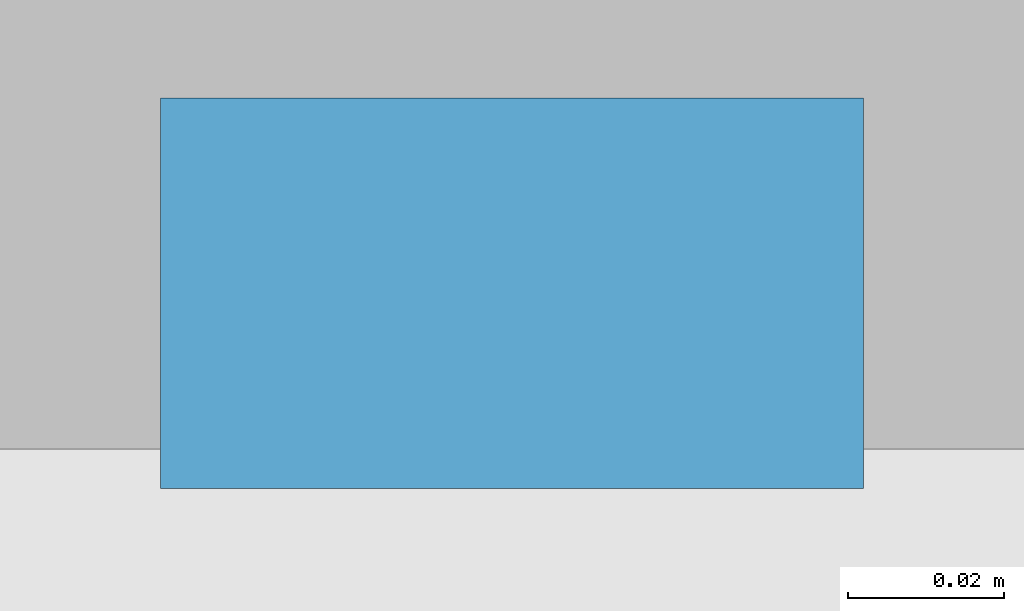
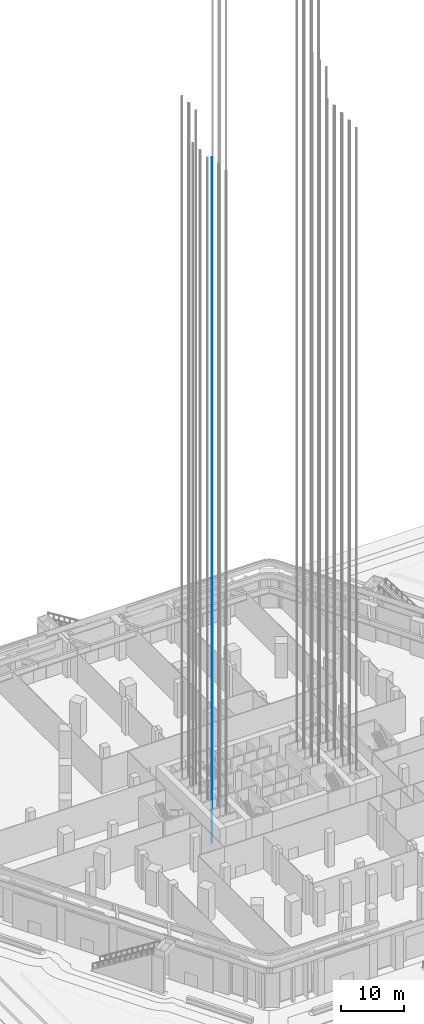
# One storey, part 31 of 68: 1 discrete accessory.
"""IFC4 building model written with IfcOpenShell, lengths in metres."""

from ifc_helpers import new_model, si_unit, direction, frame, origin, origin_2d, place, context, subcontext, project, spatial, rectangle, extrude, element, save


model = new_model("IFC4")

# Units and contexts
model_context = context("Model", 3, precision=1e-05, world=origin(), true_north=direction((0.0, 1.0)))
body_context = subcontext(model_context, "Body", "Model", "MODEL_VIEW")
ifc_project = project(units=[si_unit("LENGTHUNIT", "METRE"), si_unit("AREAUNIT", "SQUARE_METRE"), si_unit("VOLUMEUNIT", "CUBIC_METRE"), si_unit("PLANEANGLEUNIT", "RADIAN"), si_unit("MASSUNIT", "GRAM", prefix="KILO")], contexts=[model_context])

# Site, building, storey
site_placement = place(None, origin())
site = spatial("IfcSite", under=ifc_project, at=site_placement, CompositionType="ELEMENT")
building_placement = place(site_placement, origin())
building = spatial("IfcBuilding", under=site, at=building_placement, Name="Kolab Exchange Tower", CompositionType="ELEMENT")
storey_placement = place(building_placement, origin())
storey = spatial("IfcBuildingStorey", under=building, at=storey_placement, Name="L00", CompositionType="ELEMENT", Elevation=0.0)

# Discrete accessory
discrete_accessory_placement = place(storey_placement, frame((-12.0, -2.530029296875, -1.599853515625), z_axis=(0.0, 0.0, 1.0), x_axis=(1.0, 0.0, 0.0)))
element("IfcDiscreteAccessory", 1, at=discrete_accessory_placement, inside=storey, Name="Guide rail LR6-2", ObjectType="GUIDE RAIL", PredefinedType="USERDEFINED", context=body_context, shape_type="SweptSolid", body=[
    extrude(rectangle(XDim=0.090087890625, YDim=0.050048828125, at=origin_2d()), origin(), (0.0, 0.0, 1.0), 133.39990234375),
])

save(model, "model.ifc")
